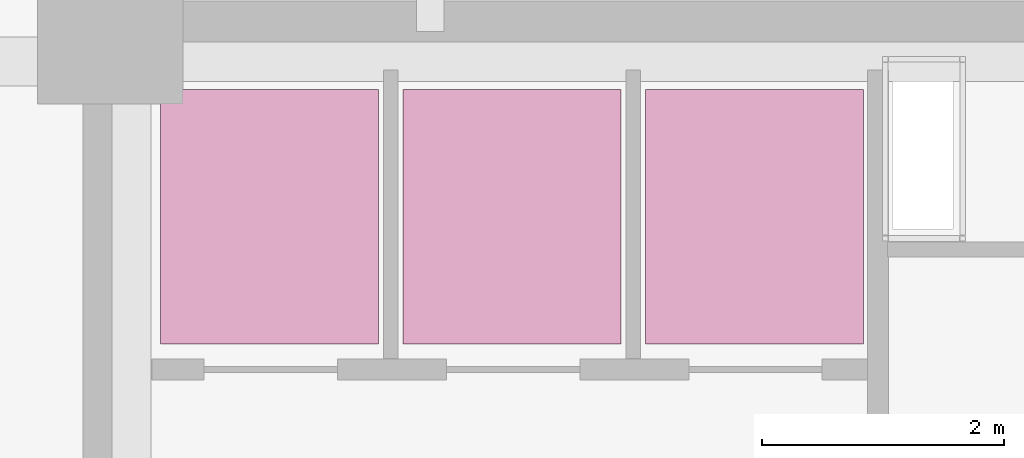
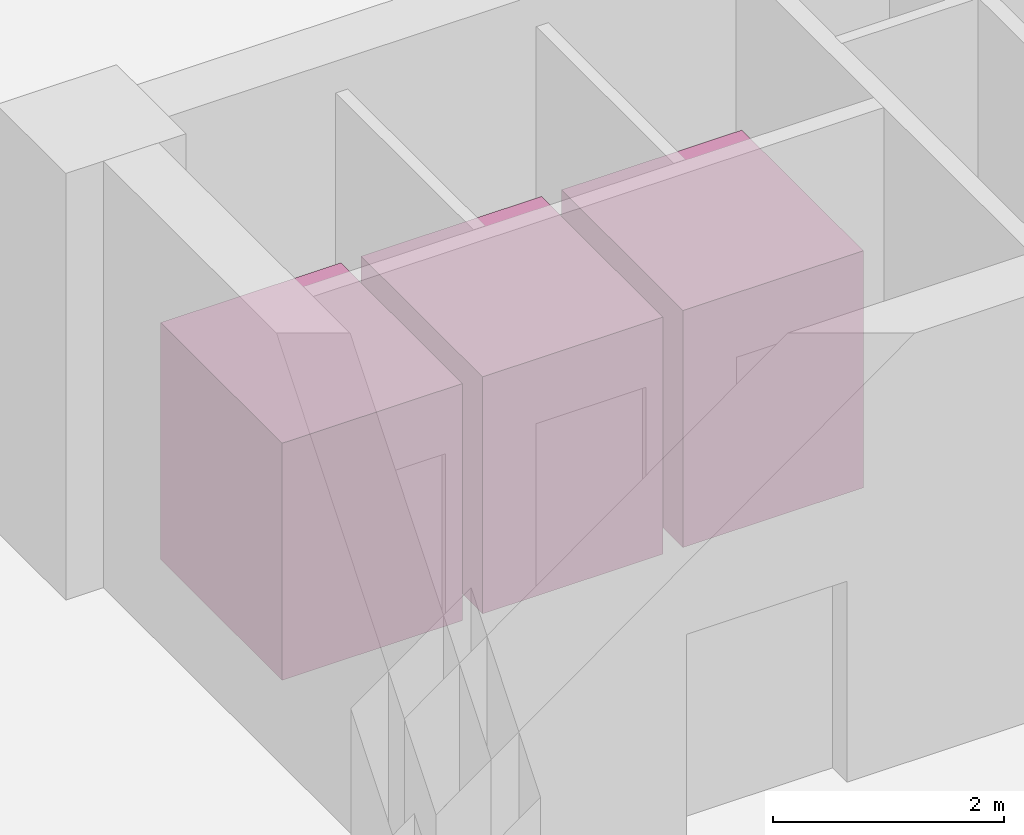
# One storey, part 8 of 8: 3 transport elements.
"""IFC4 building model written with IfcOpenShell, lengths in metres."""

from ifc_helpers import new_model, si_unit, direction, frame, origin, origin_2d, place, context, subcontext, project, spatial, rectangle, extrude, material, type_object, element, save


model = new_model("IFC4")

# Units and contexts
model_context = context("Model", 3, precision=1e-05, world=origin(), true_north=direction((0.0, 1.0)))
body_context = subcontext(model_context, "Body", "Model", "MODEL_VIEW")
ifc_project = project(units=[si_unit("LENGTHUNIT", "METRE"), si_unit("AREAUNIT", "SQUARE_METRE"), si_unit("VOLUMEUNIT", "CUBIC_METRE"), si_unit("PLANEANGLEUNIT", "RADIAN"), si_unit("MASSUNIT", "GRAM", prefix="KILO")], contexts=[model_context])

# Site, building, storey
site_placement = place(None, origin())
site = spatial("IfcSite", under=ifc_project, at=site_placement, CompositionType="ELEMENT")
building_placement = place(site_placement, origin())
building = spatial("IfcBuilding", under=site, at=building_placement, Name="Qhalaya Broadcast Tower", CompositionType="ELEMENT")
storey_placement = place(building_placement, frame((0.0, 0.0, -4.5)))
storey = spatial("IfcBuildingStorey", under=building, at=storey_placement, Name="B01", CompositionType="ELEMENT", Elevation=-4.5)

# Transport elements
ifc_material = material(Name="Brushed Stainless Steel Lift Car", Category="steel")
transport_element_type = type_object("IfcTransportElementType", Name="High-Speed Passenger Lift Car 1800x2100", PredefinedType="ELEVATOR", material=ifc_material)
for number, where, z_axis, x_axis, name in (
    (1, (-8.06005859375, 8.419921875, 0.0), (0.0, 0.0, 1.0), (1.0, 0.0, 0.0), "Lift P1"),
    (2, (-6.06005859375, 8.419921875, 0.0), (0.0, 0.0, 1.0), (1.0, 0.0, 0.0), "Lift P2"),
    (3, (-4.06005859375, 8.419921875, 0.0), (0.0, 0.0, 1.0), (1.0, 0.0, 0.0), "Lift P3"),
):
    element("IfcTransportElement", number, at=place(storey_placement, frame(where, z_axis=z_axis, x_axis=x_axis)), inside=storey, type_object=transport_element_type, Name=name, PredefinedType="ELEVATOR", context=body_context, shape_type="SweptSolid", body=[
        extrude(rectangle(XDim=1.800048828125, YDim=2.10009765625, at=origin_2d()), origin(), (0.0, 0.0, 1.0), 2.5),
    ])

save(model, "model.ifc")
